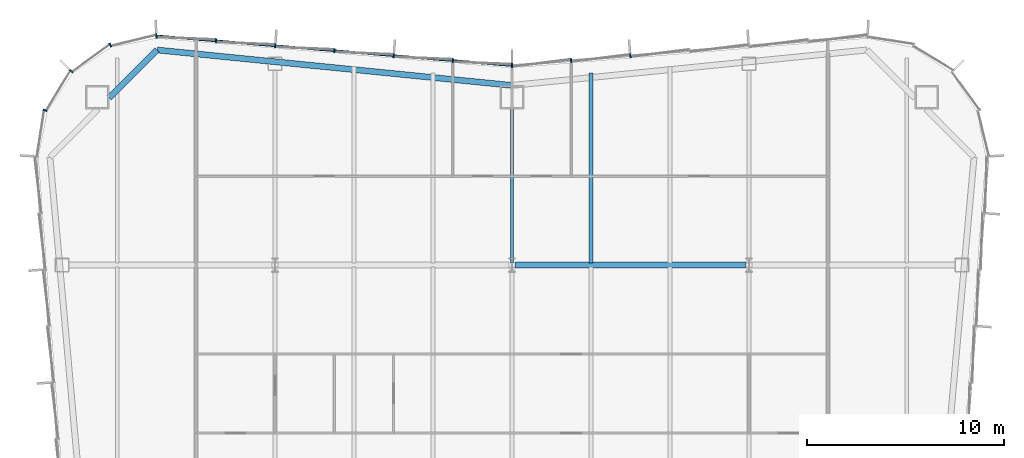
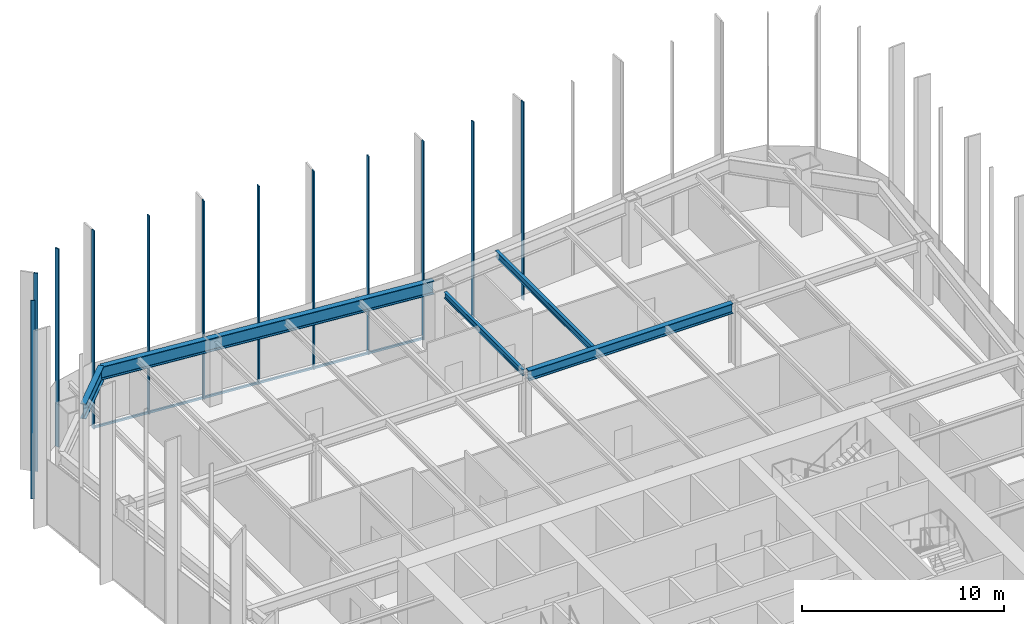
# One storey, part 6 of 13: 13 members, 5 beams, 2 elements without a shape of their own.
"""IFC4 building model written with IfcOpenShell, lengths in metres."""

from ifc_helpers import new_model, si_unit, direction, frame, origin, origin_2d, place, context, subcontext, project, spatial, rectangle, i_section, extrude, material, material_profile, profile_set, type_object, element, aggregate, save


model = new_model("IFC4")

# Units and contexts
model_context = context("Model", 3, precision=1e-05, world=origin(), true_north=direction((0.0, 1.0)))
body_context = subcontext(model_context, "Body", "Model", "MODEL_VIEW")
ifc_project = project(units=[si_unit("LENGTHUNIT", "METRE"), si_unit("AREAUNIT", "SQUARE_METRE"), si_unit("VOLUMEUNIT", "CUBIC_METRE"), si_unit("PLANEANGLEUNIT", "RADIAN"), si_unit("MASSUNIT", "GRAM", prefix="KILO")], contexts=[model_context])

# Site, building, storey
site_placement = place(None, origin())
site = spatial("IfcSite", under=ifc_project, at=site_placement, CompositionType="ELEMENT")
building_placement = place(site_placement, origin())
building = spatial("IfcBuilding", under=site, at=building_placement, Name="Verdant Reach Tower", CompositionType="ELEMENT")
storey_placement = place(building_placement, frame((0.0, 0.0, 126.0)))
storey = spatial("IfcBuildingStorey", under=building, at=storey_placement, Name="L28", CompositionType="ELEMENT", Elevation=126.0)

# Curtain wall, members
ifc_material_1 = material(Name="Anodised aluminium", Category="aluminium")
curtain_wall_type = type_object("IfcCurtainWallType", Name="EN-CW SYSTEM Z2", PredefinedType="NOTDEFINED", material=ifc_material_1)
curtain_wall_1_placement = place(storey_placement, origin())
curtain_wall_1 = element("IfcCurtainWall", 1, at=curtain_wall_1_placement, inside=storey, type_object=curtain_wall_type, Name="Curtain wall north, L28", PredefinedType="NOTDEFINED")
ifc_material_profile_1 = material_profile(ifc_material_1, rectangle(XDim=0.2119140625, YDim=0.06396484375, at=origin_2d()), Name="Mullion 64x212")
ifc_profile_set_1 = profile_set([ifc_material_profile_1], Name="Anodised aluminium")
member_type_1 = type_object("IfcMemberType", Name="EN-MULLION Z2", PredefinedType="MULLION", material=ifc_profile_set_1)
member_1_placement = place(storey_placement, frame((5.9912109375, 60.105712890625, -0.35009765625), z_axis=(0.0, 0.0, 1.0), x_axis=(-0.083045479859, 0.996545758244, 0.0)))
member_1 = element("IfcMember", 2, at=member_1_placement, type_object=member_type_1, Name="Mullion north face part 1 5, L28", PredefinedType="MULLION", context=body_context, shape_type="SweptSolid", body=[
    extrude(rectangle(XDim=0.2119140625, YDim=0.06396484375, at=origin_2d()), origin(), (0.0, 0.0, 1.0), 12.0),
])
member_2_placement = place(storey_placement, frame((2.9912109375, 59.855712890625, -0.35009765625), z_axis=(0.0, 0.0, 1.0), x_axis=(-0.083045479859, 0.996545758244, 0.0)))
member_2 = element("IfcMember", 3, at=member_2_placement, type_object=member_type_1, Name="Mullion north face part 1 6, L28", PredefinedType="MULLION", context=body_context, shape_type="SweptSolid", body=[
    extrude(rectangle(XDim=0.2119140625, YDim=0.06396484375, at=origin_2d()), origin(), (0.0, 0.0, 1.0), 12.0),
])
member_3_placement = place(storey_placement, frame((0.0, 59.60595703125, -0.35009765625), z_axis=(0.0, 0.0, 1.0), x_axis=(0.0, 1.0, 0.0)))
member_3 = element("IfcMember", 4, at=member_3_placement, type_object=member_type_1, Name="Mullion north face part 2 1, L28", PredefinedType="MULLION", context=body_context, shape_type="SweptSolid", body=[
    extrude(rectangle(XDim=0.2119140625, YDim=0.06396484375, at=origin_2d()), origin(), (0.0, 0.0, 1.0), 12.0),
])
member_4_placement = place(storey_placement, frame((-2.9912109375, 59.855712890625, -0.35009765625), z_axis=(0.0, 0.0, 1.0), x_axis=(0.083045479859, 0.996545758244, 0.0)))
member_4 = element("IfcMember", 5, at=member_4_placement, type_object=member_type_1, Name="Mullion north face part 2 2, L28", PredefinedType="MULLION", context=body_context, shape_type="SweptSolid", body=[
    extrude(rectangle(XDim=0.2119140625, YDim=0.06396484375, at=origin_2d()), origin(), (0.0, 0.0, 1.0), 12.0),
])
member_5_placement = place(storey_placement, frame((-5.9912109375, 60.105712890625, -0.35009765625), z_axis=(0.0, 0.0, 1.0), x_axis=(0.083045479859, 0.996545758244, 0.0)))
member_5 = element("IfcMember", 6, at=member_5_placement, type_object=member_type_1, Name="Mullion north face part 2 3, L28", PredefinedType="MULLION", context=body_context, shape_type="SweptSolid", body=[
    extrude(rectangle(XDim=0.2119140625, YDim=0.06396484375, at=origin_2d()), origin(), (0.0, 0.0, 1.0), 12.0),
])
member_6_placement = place(storey_placement, frame((-8.9912109375, 60.355712890625, -0.35009765625), z_axis=(0.0, 0.0, 1.0), x_axis=(0.083045479859, 0.996545758244, 0.0)))
member_6 = element("IfcMember", 7, at=member_6_placement, type_object=member_type_1, Name="Mullion north face part 2 4, L28", PredefinedType="MULLION", context=body_context, shape_type="SweptSolid", body=[
    extrude(rectangle(XDim=0.2119140625, YDim=0.06396484375, at=origin_2d()), origin(), (0.0, 0.0, 1.0), 12.0),
])
member_7_placement = place(storey_placement, frame((-11.9912109375, 60.605712890625, -0.35009765625), z_axis=(0.0, 0.0, 1.0), x_axis=(0.083045479859, 0.996545758244, 0.0)))
member_7 = element("IfcMember", 8, at=member_7_placement, type_object=member_type_1, Name="Mullion north face part 2 5, L28", PredefinedType="MULLION", context=body_context, shape_type="SweptSolid", body=[
    extrude(rectangle(XDim=0.2119140625, YDim=0.06396484375, at=origin_2d()), origin(), (0.0, 0.0, 1.0), 12.0),
])
member_8_placement = place(storey_placement, frame((-14.9912109375, 60.855712890625, -0.35009765625), z_axis=(0.0, 0.0, 1.0), x_axis=(0.083045479859, 0.996545758244, 0.0)))
member_8 = element("IfcMember", 9, at=member_8_placement, type_object=member_type_1, Name="Mullion north face part 2 6, L28", PredefinedType="MULLION", context=body_context, shape_type="SweptSolid", body=[
    extrude(rectangle(XDim=0.2119140625, YDim=0.06396484375, at=origin_2d()), origin(), (0.0, 0.0, 1.0), 12.0),
])

curtain_wall_2_placement = place(storey_placement, origin())
curtain_wall_2 = element("IfcCurtainWall", 10, at=curtain_wall_2_placement, inside=storey, type_object=curtain_wall_type, Name="Curtain wall north-west corner, L28", PredefinedType="NOTDEFINED")
member_9_placement = place(storey_placement, frame((-18.006103515625, 61.105712890625, -0.35009765625), z_axis=(0.0, 0.0, 1.0), x_axis=(-0.056569187765, 0.998398681387, 0.0)))
member_9 = element("IfcMember", 11, at=member_9_placement, type_object=member_type_1, Name="Mullion north-west corner 1, L28", PredefinedType="MULLION", context=body_context, shape_type="SweptSolid", body=[
    extrude(rectangle(XDim=0.2119140625, YDim=0.06396484375, at=origin_2d()), origin(), (0.0, 0.0, 1.0), 12.0),
])
member_10_placement = place(storey_placement, frame((-20.336669921875, 60.64111328125, -0.35009765625), z_axis=(0.0, 0.0, 1.0), x_axis=(-0.382693853776, 0.923875215753, 0.0)))
member_10 = element("IfcMember", 12, at=member_10_placement, type_object=member_type_1, Name="Mullion north-west corner 2, L28", PredefinedType="MULLION", context=body_context, shape_type="SweptSolid", body=[
    extrude(rectangle(XDim=0.2119140625, YDim=0.06396484375, at=origin_2d()), origin(), (0.0, 0.0, 1.0), 12.0),
])
member_11_placement = place(storey_placement, frame((-22.317626953125, 59.317626953125, -0.35009765625), z_axis=(0.0, 0.0, 1.0), x_axis=(-0.707106781187, 0.707106781187, 0.0)))
member_11 = element("IfcMember", 13, at=member_11_placement, type_object=member_type_1, Name="Mullion north-west corner 3, L28", PredefinedType="MULLION", context=body_context, shape_type="SweptSolid", body=[
    extrude(rectangle(XDim=0.2119140625, YDim=0.06396484375, at=origin_2d()), origin(), (0.0, 0.0, 1.0), 12.0),
])
member_12_placement = place(storey_placement, frame((-23.64111328125, 57.336669921875, -0.35009765625), z_axis=(0.0, 0.0, 1.0), x_axis=(-0.923875215753, 0.382693853776, 0.0)))
member_12 = element("IfcMember", 14, at=member_12_placement, type_object=member_type_1, Name="Mullion north-west corner 4, L28", PredefinedType="MULLION", context=body_context, shape_type="SweptSolid", body=[
    extrude(rectangle(XDim=0.2119140625, YDim=0.06396484375, at=origin_2d()), origin(), (0.0, 0.0, 1.0), 12.0),
])
aggregate(curtain_wall_2, [member_9, member_10, member_11, member_12])

# Member
ifc_material_profile_2 = material_profile(ifc_material_1, rectangle(XDim=0.10009765625, YDim=0.1240234375, at=origin_2d()), Name="Transom 124x100")
ifc_profile_set_2 = profile_set([ifc_material_profile_2], Name="Anodised aluminium")
member_type_2 = type_object("IfcMemberType", Name="EN-TRANSOM Z2", PredefinedType="USERDEFINED", material=ifc_profile_set_2)
member_13_placement = place(storey_placement, frame((-0.031982421875, 59.608642578125, -0.2880859375), z_axis=(-0.996548282776, 0.083015179915, 0.0), x_axis=(-0.083015179915, -0.996548282776, 0.0)))
member_13 = element("IfcMember", 15, at=member_13_placement, type_object=member_type_2, Name="Transom north face part 2 1.1, L28", ObjectType="TRANSOM", PredefinedType="USERDEFINED", context=body_context, shape_type="SweptSolid", body=[
    extrude(rectangle(XDim=0.10009765625, YDim=0.1240234375, at=origin_2d()), origin(), (0.0, 0.0, 1.0), 18.00439453125),
])

aggregate(curtain_wall_1, [member_1, member_2, member_3, member_4, member_5, member_6, member_7, member_8, member_13])

# Beams
ifc_material_2 = material(Name="Steel S355", Category="steel")
ifc_material_profile_3 = material_profile(ifc_material_2, i_section(OverallWidth=0.300048828125, OverallDepth=0.60009765625, WebThickness=0.015380859375, FlangeThickness=0.030029296875, FilletRadius=0.027099609375, at=origin_2d()), Name="HEB 600")
ifc_profile_set_3 = profile_set([ifc_material_profile_3], Name="Steel S355")
beam_type_1 = type_object("IfcBeamType", Name="ST-BEAM-HEB600", PredefinedType="BEAM", material=ifc_profile_set_3)
beam_1_placement = place(storey_placement, frame((0.154052734375, 49.5, 3.570068359375), z_axis=(1.0, 0.0, 0.0), x_axis=(0.0, 1.0, 0.0)))
element("IfcBeam", 16, at=beam_1_placement, inside=storey, type_object=beam_type_1, Name="Row girder, L28", PredefinedType="BEAM", context=body_context, shape_type="SweptSolid", body=[
    extrude(i_section(OverallWidth=0.300048828125, OverallDepth=0.60009765625, WebThickness=0.015380859375, FlangeThickness=0.030029296875, FilletRadius=0.027099609375, at=origin_2d()), origin(), (0.0, 0.0, 1.0), 11.69189453125),
])
ifc_material_profile_4 = material_profile(ifc_material_2, i_section(OverallWidth=0.169921875, OverallDepth=0.360107421875, WebThickness=0.008056640625, FlangeThickness=0.0126953125, FilletRadius=0.01806640625, at=origin_2d()), Name="IPE 360")
ifc_profile_set_4 = profile_set([ifc_material_profile_4], Name="Steel S355")
beam_type_2 = type_object("IfcBeamType", Name="ST-JOIST-IPE360", PredefinedType="JOIST", material=ifc_profile_set_4)
beam_2_placement = place(storey_placement, frame((0.0, 49.60009765625, 3.68994140625), z_axis=(0.0, 1.0, 0.0), x_axis=(-1.0, 0.0, 0.0)))
element("IfcBeam", 17, at=beam_2_placement, inside=storey, type_object=beam_type_2, Name="Floor joist, L28", PredefinedType="JOIST", context=body_context, shape_type="SweptSolid", body=[
    extrude(i_section(OverallWidth=0.169921875, OverallDepth=0.360107421875, WebThickness=0.008056640625, FlangeThickness=0.0126953125, FilletRadius=0.01806640625, at=origin_2d()), origin(), (0.0, 0.0, 1.0), 7.7998046875),
])
ifc_material_profile_5 = material_profile(ifc_material_2, i_section(OverallWidth=0.179931640625, OverallDepth=0.39990234375, WebThickness=0.008544921875, FlangeThickness=0.013427734375, FilletRadius=0.02099609375, at=origin_2d()), Name="IPE 400")
ifc_profile_set_5 = profile_set([ifc_material_profile_5], Name="Steel S355")
beam_type_3 = type_object("IfcBeamType", Name="ST-JOIST-IPE400", PredefinedType="JOIST", material=ifc_profile_set_5)
beam_3_placement = place(storey_placement, frame((4.0, 49.60009765625, 3.669921875), z_axis=(0.0, 1.0, 0.0), x_axis=(-1.0, 0.0, 0.0)))
element("IfcBeam", 18, at=beam_3_placement, inside=storey, type_object=beam_type_3, Name="Floor joist, L28", PredefinedType="JOIST", context=body_context, shape_type="SweptSolid", body=[
    extrude(i_section(OverallWidth=0.179931640625, OverallDepth=0.39990234375, WebThickness=0.008544921875, FlangeThickness=0.013427734375, FilletRadius=0.02099609375, at=origin_2d()), origin(), (0.0, 0.0, 1.0), 9.631103515625),
])
ifc_material_profile_6 = material_profile(ifc_material_2, i_section(OverallWidth=0.300048828125, OverallDepth=0.800048828125, WebThickness=0.017578125, FlangeThickness=0.032958984375, FilletRadius=0.030029296875, at=origin_2d()), Name="HEB 800")
ifc_profile_set_6 = profile_set([ifc_material_profile_6], Name="Steel S355")
beam_type_4 = type_object("IfcBeamType", Name="ST-SPANDREL-HEB800", PredefinedType="SPANDREL", material=ifc_profile_set_6)
beam_4_placement = place(storey_placement, frame((-17.9658203125, 60.39501953125, 3.469970703125), z_axis=(0.995046289869, -0.099412680371, 0.0), x_axis=(0.099412680371, 0.995046289869, 0.0)))
element("IfcBeam", 19, at=beam_4_placement, inside=storey, type_object=beam_type_4, Name="Edge beam, L28", PredefinedType="SPANDREL", context=body_context, shape_type="SweptSolid", body=[
    extrude(i_section(OverallWidth=0.300048828125, OverallDepth=0.800048828125, WebThickness=0.017578125, FlangeThickness=0.032958984375, FilletRadius=0.030029296875, at=origin_2d()), origin(), (0.0, 0.0, 1.0), 18.05517578125),
])
ifc_material_profile_7 = material_profile(ifc_material_2, i_section(OverallWidth=0.302001953125, OverallDepth=0.909912109375, WebThickness=0.02099609375, FlangeThickness=0.0400390625, FilletRadius=0.030029296875, at=origin_2d()), Name="HEM 900")
ifc_profile_set_7 = profile_set([ifc_material_profile_7], Name="Steel S355")
beam_type_5 = type_object("IfcBeamType", Name="ST-SPANDREL-HEM900", PredefinedType="SPANDREL", material=ifc_profile_set_7)
beam_5_placement = place(storey_placement, frame((-20.39990234375, 57.9599609375, 3.4150390625), z_axis=(0.70696494852, 0.70724858541, 0.0), x_axis=(-0.70724858541, 0.70696494852, 0.0)))
element("IfcBeam", 20, at=beam_5_placement, inside=storey, type_object=beam_type_5, Name="Edge beam, L28", PredefinedType="SPANDREL", context=body_context, shape_type="SweptSolid", body=[
    extrude(i_section(OverallWidth=0.302001953125, OverallDepth=0.909912109375, WebThickness=0.02099609375, FlangeThickness=0.0400390625, FilletRadius=0.030029296875, at=origin_2d()), origin(), (0.0, 0.0, 1.0), 3.443115234375),
])

save(model, "model.ifc")
